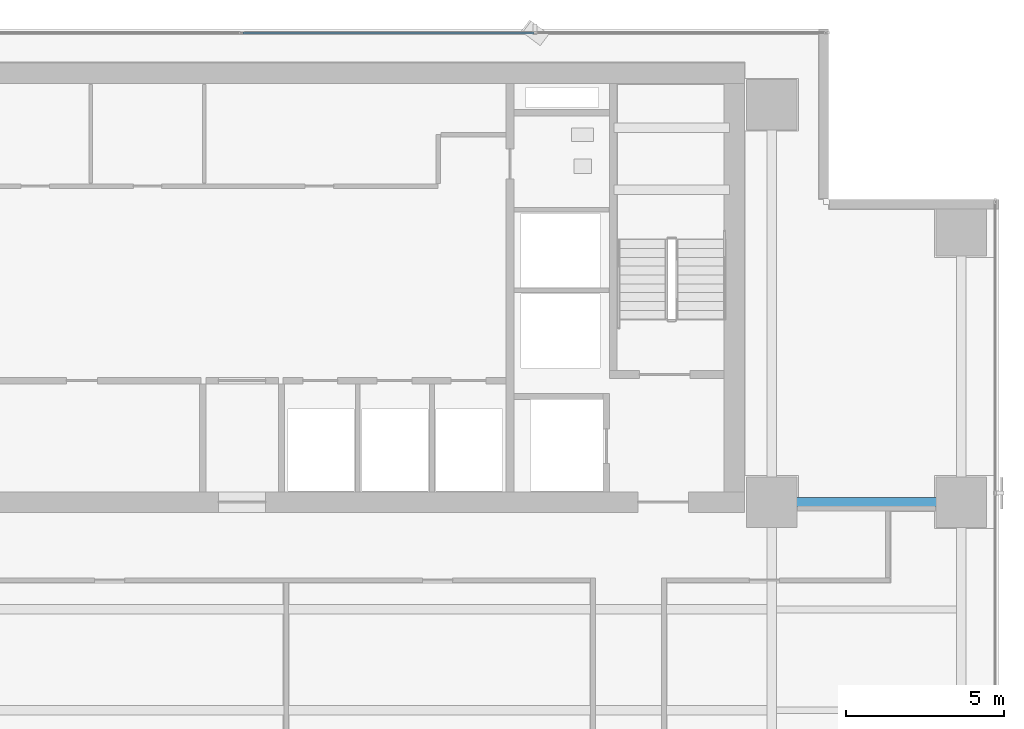
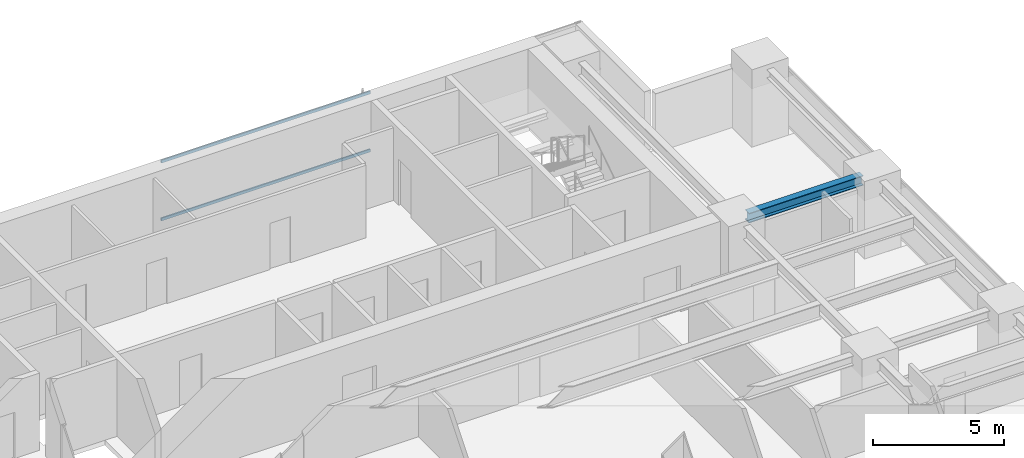
# One storey, part 17 of 28: 2 members, 1 beam, 1 element without a shape of its own.
"""IFC4 building model written with IfcOpenShell, lengths in metres."""

from ifc_helpers import new_model, si_unit, direction, frame, origin, origin_2d, place, context, subcontext, project, spatial, hollow_rectangle, i_section, extrude, source, transform, mapped, material, layer, layer_set, material_profile, profile_set, type_object, element, aggregate, save


model = new_model("IFC4")

# Units and contexts
model_context = context("Model", 3, precision=1e-05, world=origin(), true_north=direction((0.0, 1.0)))
body_context = subcontext(model_context, "Body", "Model", "MODEL_VIEW")
ifc_project = project(units=[si_unit("LENGTHUNIT", "METRE"), si_unit("AREAUNIT", "SQUARE_METRE"), si_unit("VOLUMEUNIT", "CUBIC_METRE"), si_unit("PLANEANGLEUNIT", "RADIAN"), si_unit("MASSUNIT", "GRAM", prefix="KILO")], contexts=[model_context])

# Site, building, storey
site_placement = place(None, origin())
site = spatial("IfcSite", under=ifc_project, at=site_placement, CompositionType="ELEMENT")
building_placement = place(site_placement, origin())
building = spatial("IfcBuilding", under=site, at=building_placement, Name="Sumidabori Civic Tower", CompositionType="ELEMENT")
storey_placement = place(building_placement, frame((0.0, 0.0, 153.199951171875)))
storey = spatial("IfcBuildingStorey", under=building, at=storey_placement, Name="L39", CompositionType="ELEMENT", Elevation=153.199951171875)

# Beam
ifc_material_1 = material(Name="Steel SN490", Category="steel")
ifc_material_profile_1 = material_profile(ifc_material_1, i_section(OverallWidth=0.300048828125, OverallDepth=0.449951171875, WebThickness=0.013916015625, FlangeThickness=0.02587890625, at=origin_2d()), Name="HE 450 B")
ifc_profile_set_1 = profile_set([ifc_material_profile_1], Name="Steel SN490")
beam_type = type_object("IfcBeamType", Name="BM-GIRD-450", PredefinedType="BEAM", material=ifc_profile_set_1)
shared_shape_1 = source(origin(), body_context, "Body", "SweptSolid", [
    extrude(i_section(OverallWidth=0.300048828125, OverallDepth=0.449951171875, WebThickness=0.013916015625, FlangeThickness=0.02587890625, at=origin_2d()), origin(), (0.0, 0.0, 1.0), 5.0400390625),
])
beam_placement = place(storey_placement, frame((17.280029296875, 10.199951171875, 3.155029296875), z_axis=(1.0, 0.0, 0.0), x_axis=(0.0, 1.0, 0.0)))
element("IfcBeam", 1, at=beam_placement, inside=storey, type_object=beam_type, Name="Primary Girder L39 GX-18", PredefinedType="BEAM", context=body_context, shape_type="MappedRepresentation", body=[
    mapped(shared_shape_1, transform((0.0, 0.0, 0.0), x_axis=(1.0, 0.0, 0.0), y_axis=(0.0, 1.0, 0.0), z_axis=(0.0, 0.0, 1.0), scale=1.0)),
])

# Curtain wall, members
ifc_material_2 = material(Name="Anodised Bronze Aluminium AW-6063-T6", Category="aluminium")
ifc_layer = layer(ifc_material_2, 0.179931640625, Name="Anodised Bronze Aluminium AW-6063-T6")
ifc_layer_set = layer_set([ifc_layer], Name="Anodised Bronze Aluminium AW-6063-T6")
curtain_wall_type = type_object("IfcCurtainWallType", Name="CW-SYS-3", PredefinedType="NOTDEFINED", material=ifc_layer_set)
curtain_wall_placement = place(storey_placement, origin())
curtain_wall = element("IfcCurtainWall", 2, at=curtain_wall_placement, inside=storey, type_object=curtain_wall_type, Name="Curtain Wall CW:L39:R07", PredefinedType="NOTDEFINED")
ifc_material_profile_2 = material_profile(ifc_material_2, hollow_rectangle(XDim=0.06005859375, YDim=0.1298828125, WallThickness=0.0048828125, at=origin_2d()), Name="ALU TRANSOM 130x60")
ifc_profile_set_2 = profile_set([ifc_material_profile_2], Name="Anodised Bronze Aluminium AW-6063-T6")
member_type = type_object("IfcMemberType", Name="CW-TRN-130", PredefinedType="USERDEFINED", material=ifc_profile_set_2)
shared_shape_2 = source(origin(), body_context, "Body", "SweptSolid", [
    extrude(hollow_rectangle(XDim=0.06005859375, YDim=0.1298828125, WallThickness=0.0048828125, at=origin_2d()), origin(), (0.0, 0.0, 1.0), 9.219970703125),
])
member_1_placement = place(storey_placement, frame((9.25244140625, 25.080078125, 0.030029296875), z_axis=(-1.0, 0.0, 0.0), x_axis=(0.0, -1.0, 0.0)))
member_1 = element("IfcMember", 3, at=member_1_placement, type_object=member_type, Name="CW-3 transom 2.1", ObjectType="TRANSOM", PredefinedType="USERDEFINED", context=body_context, shape_type="MappedRepresentation", body=[
    mapped(shared_shape_2, transform((0.0, 0.0, 0.0), x_axis=(1.0, 0.0, 0.0), y_axis=(0.0, 1.0, 0.0), z_axis=(0.0, 0.0, 1.0), scale=1.0)),
])
member_2_placement = place(storey_placement, frame((9.25244140625, 25.080078125, 2.72998046875), z_axis=(-1.0, 0.0, 0.0), x_axis=(0.0, -1.0, 0.0)))
member_2 = element("IfcMember", 4, at=member_2_placement, type_object=member_type, Name="CW-3 transom 2.2", ObjectType="TRANSOM", PredefinedType="USERDEFINED", context=body_context, shape_type="MappedRepresentation", body=[
    mapped(shared_shape_2, transform((0.0, 0.0, 0.0), x_axis=(1.0, 0.0, 0.0), y_axis=(0.0, 1.0, 0.0), z_axis=(0.0, 0.0, 1.0), scale=1.0)),
])
aggregate(curtain_wall, [member_1, member_2])

save(model, "model.ifc")
